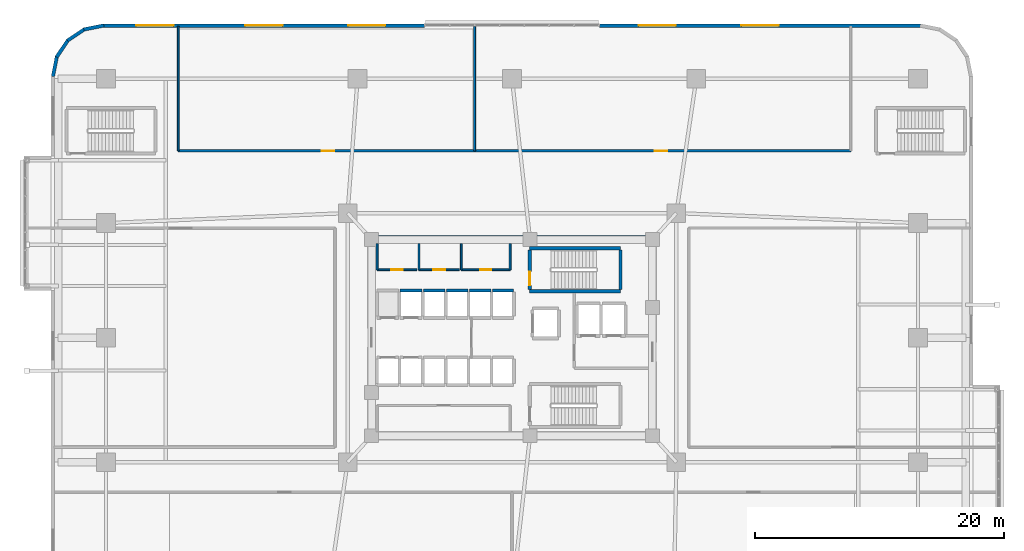
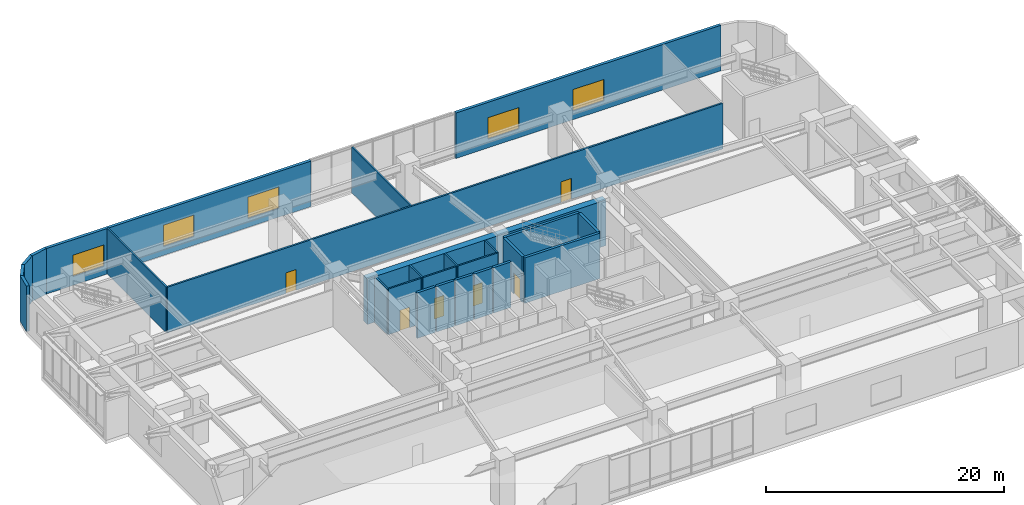
# One storey, part 17 of 23: 26 walls, 6 doors, 5 windows, 11 openings.
"""IFC4 building model written with IfcOpenShell, lengths in metres."""

import ifcopenshell
import ifcopenshell.guid

model = None  # the IFC model being written
_history = None  # IfcOwnerHistory: only IFC2X3 demands one
_inside = {}  # id of a spatial element -> (the spatial element, [elements in it])
_under = {}  # id of a project, library or spatial element -> (it, [spatial elements below it])
_declared = {}  # id of a project -> (the project, [libraries it declares])
_typed = {}  # id of a type object -> (the type object, [elements of that type])
_made_of = {}  # id of a material, layer set ... -> (it, [elements and type objects made of it])


def new_model(schema):
    """Start an empty IFC model of exactly this schema.

    Asked for "IFC4X3", IfcOpenShell would pick the latest addendum, in which some entities
    have other attributes; the version numbers below select the first issue.
    IFC2X3 requires an IfcOwnerHistory on every rooted entity: one is made here for all.
    """
    global model, _history
    if schema == "IFC4X3":
        model = ifcopenshell.file(schema_version=(4, 3, 0, 0))
    else:
        model = ifcopenshell.file(schema=schema)
    _inside.clear()
    _under.clear()
    _declared.clear()
    _typed.clear()
    _made_of.clear()
    _history = None
    if model.schema == "IFC2X3":
        org = make("IfcOrganization", Name="unknown")
        user = make(
            "IfcPersonAndOrganization",
            ThePerson=make("IfcPerson", FamilyName="unknown"),
            TheOrganization=org,
        )
        app = make(
            "IfcApplication",
            ApplicationDeveloper=org,
            Version="unknown",
            ApplicationFullName="unknown",
            ApplicationIdentifier="unknown",
        )
        _history = make(
            "IfcOwnerHistory",
            OwningUser=user,
            OwningApplication=app,
            ChangeAction="ADDED",
            CreationDate=0,
        )
    return model


def make(cls, **values):
    """One entity of the class cls with the attributes given. An attribute that is None is left unset."""
    return model.create_entity(
        cls, **{name: value for name, value in values.items() if value is not None}
    )


def rooted(cls, **values):
    """An entity with a GlobalId (a new one), such as an element, a storey or a relation."""
    return make(cls, GlobalId=ifcopenshell.guid.new(), OwnerHistory=_history, **values)


def si_unit(unit_type, name, prefix=None):
    """IfcSIUnit, for example si_unit("LENGTHUNIT", "METRE", prefix="MILLI")."""
    return make("IfcSIUnit", UnitType=unit_type, Prefix=prefix, Name=name)


def assignment(units):
    """IfcUnitAssignment: the units of a project."""
    return None if units is None else make("IfcUnitAssignment", Units=units)


def point(xyz):
    """IfcCartesianPoint."""
    return None if xyz is None else make("IfcCartesianPoint", Coordinates=xyz)


def direction(xyz):
    """IfcDirection."""
    return None if xyz is None else make("IfcDirection", DirectionRatios=xyz)


def frame(location, z_axis=None, x_axis=None):
    """IfcAxis2Placement3D, a coordinate frame: its origin and axes. An axis left out is left unset."""
    return make(
        "IfcAxis2Placement3D",
        Location=point(location),
        Axis=direction(z_axis),
        RefDirection=direction(x_axis),
    )


def frame_2d(location, x_axis=None):
    """IfcAxis2Placement2D, a coordinate frame in the plane: its origin and x axis."""
    return make(
        "IfcAxis2Placement2D", Location=point(location), RefDirection=direction(x_axis)
    )


def origin():
    """The frame at (0, 0, 0) with its axes left unset."""
    return frame((0.0, 0.0, 0.0))


def place(relative_to, where):
    """IfcLocalPlacement: puts the frame where relative to a parent placement (None: the world)."""
    return make(
        "IfcLocalPlacement", PlacementRelTo=relative_to, RelativePlacement=where
    )


def context(
    kind, dimensions, precision=None, world=None, true_north=None, identifier=None
):
    """IfcGeometricRepresentationContext, for example the 3D "Model" context."""
    return make(
        "IfcGeometricRepresentationContext",
        ContextIdentifier=identifier,
        ContextType=kind,
        CoordinateSpaceDimension=dimensions,
        Precision=precision,
        WorldCoordinateSystem=world,
        TrueNorth=true_north,
    )


def subcontext(parent, identifier, kind, view, scale=None):
    """IfcGeometricRepresentationSubContext, for example "Body" below "Model"."""
    return make(
        "IfcGeometricRepresentationSubContext",
        ContextIdentifier=identifier,
        ContextType=kind,
        ParentContext=parent,
        TargetScale=scale,
        TargetView=view,
    )


def project(units=None, contexts=None):
    """IfcProject with its units and contexts."""
    return rooted(
        "IfcProject",
        Name="project",
        RepresentationContexts=contexts,
        UnitsInContext=assignment(units),
    )


def spatial(cls, under=None, at=None, **own):
    """A site, building, storey or space (cls), placed at a placement, below another one or the project."""
    s = rooted(cls, ObjectPlacement=at, **own)
    if under is not None:
        _under.setdefault(under.id(), (under, []))[1].append(s)
    return s


def profile(cls, at=None, kind="AREA", **sizes):
    """A parametric profile (cls). Its sizes go by their IFC names, for example OverallWidth=200.0."""
    return make(cls, ProfileType=kind, Position=at, **sizes)


def rectangle(**sizes):
    """IfcRectangleProfileDef."""
    return profile("IfcRectangleProfileDef", **sizes)


def extrude(swept, where, along, depth):
    """IfcExtrudedAreaSolid: the profile swept, set in the frame where, extruded along a direction by depth."""
    return make(
        "IfcExtrudedAreaSolid",
        SweptArea=swept,
        Position=where,
        ExtrudedDirection=direction(along),
        Depth=depth,
    )


def shape(context_of_items, identifier, shape_type, items):
    """IfcShapeRepresentation: the items that make up one representation, for example the "Body"."""
    return make(
        "IfcShapeRepresentation",
        ContextOfItems=context_of_items,
        RepresentationIdentifier=identifier,
        RepresentationType=shape_type,
        Items=items,
    )


def material(Name=None, Category=None):
    """IfcMaterial."""
    return make("IfcMaterial", Name=Name, Category=Category)


def layer(
    of_material, thickness, ventilated=None, Name=None, Category=None, Priority=None
):
    """IfcMaterialLayer: one layer of a wall or slab, of a material (None: an air gap)."""
    return make(
        "IfcMaterialLayer",
        Material=of_material,
        LayerThickness=thickness,
        IsVentilated=ventilated,
        Name=Name,
        Category=Category,
        Priority=Priority,
    )


def layer_set(layers, Name=None):
    """IfcMaterialLayerSet."""
    return make("IfcMaterialLayerSet", MaterialLayers=layers, LayerSetName=Name)


def made_of(thing, what):
    """Note that an element or type object is made of a material, layer set ...; save() writes the relation."""
    if what is not None:
        _made_of.setdefault(what.id(), (what, []))[1].append(thing)
    return thing


def type_object(cls, material=None, **own):
    """A type object (cls), such as IfcWallType, which elements share."""
    return made_of(rooted(cls, **own), material)


def element(
    cls,
    number,
    at=None,
    inside=None,
    cuts=None,
    type_object=None,
    material=None,
    context=None,
    identifier="Body",
    shape_type=None,
    held_by="IfcProductDefinitionShape",
    body=None,
    shapes=None,
    **own,
):
    """One element of the class cls, such as IfcWall. Its Tag is "e" and its number.

    at: its placement. inside: the storey or other place that contains it. cuts: it is an
    opening in that element (IfcRelVoidsElement). A single representation is given by context,
    identifier, shape_type and body (its items); several are given by shapes. held_by: the class
    of the entity that holds the representations. save() writes the other relations.
    """
    e = rooted(cls, Tag="e%d" % number, ObjectPlacement=at, **own)
    if body is not None:
        shapes = [shape(context, identifier, shape_type, body)]
    if shapes is not None:
        e.Representation = make(held_by, Representations=shapes)
    if inside is not None:
        _inside.setdefault(inside.id(), (inside, []))[1].append(e)
    if cuts is not None:
        rooted(
            "IfcRelVoidsElement", RelatingBuildingElement=cuts, RelatedOpeningElement=e
        )
    if type_object is not None:
        _typed.setdefault(type_object.id(), (type_object, []))[1].append(e)
    return made_of(e, material)


def fill(opening, filler):
    """IfcRelFillsElement: the door or window that sits in an opening."""
    return rooted(
        "IfcRelFillsElement",
        RelatingOpeningElement=opening,
        RelatedBuildingElement=filler,
    )


def aggregate(whole, parts):
    """IfcRelAggregates: a whole, such as a stair, and the parts it consists of."""
    return rooted("IfcRelAggregates", RelatingObject=whole, RelatedObjects=parts)


def save(model, path):
    """Write the relations noted so far, then the file.

    IfcRelAggregates (storeys below a building ...), IfcRelContainedInSpatialStructure (elements
    in a storey), IfcRelDefinesByType, IfcRelAssociatesMaterial and IfcRelDeclares: one each for
    every whole, place, type object, material and project.
    """
    for whole, parts in _under.values():
        aggregate(whole, parts)
    for where, things in _inside.values():
        rooted(
            "IfcRelContainedInSpatialStructure",
            RelatedElements=things,
            RelatingStructure=where,
        )
    for kind, things in _typed.values():
        rooted("IfcRelDefinesByType", RelatedObjects=things, RelatingType=kind)
    for what, things in _made_of.values():
        rooted("IfcRelAssociatesMaterial", RelatedObjects=things, RelatingMaterial=what)
    for by, libraries in _declared.values():
        rooted("IfcRelDeclares", RelatingContext=by, RelatedDefinitions=libraries)
    model.write(path)


model = new_model("IFC4")

# Units and contexts
model_context = context("Model", 3, precision=1e-05, world=origin(), true_north=direction((0.0, 1.0)))
body_context = subcontext(model_context, "Body", "Model", "MODEL_VIEW")
ifc_project = project(units=[si_unit("LENGTHUNIT", "METRE"), si_unit("AREAUNIT", "SQUARE_METRE"), si_unit("VOLUMEUNIT", "CUBIC_METRE"), si_unit("PLANEANGLEUNIT", "RADIAN"), si_unit("MASSUNIT", "GRAM", prefix="KILO")], contexts=[model_context])

# Site, building, storey
site_placement = place(None, origin())
site = spatial("IfcSite", under=ifc_project, at=site_placement, CompositionType="ELEMENT")
building_placement = place(site_placement, origin())
building = spatial("IfcBuilding", under=site, at=building_placement, Name="Zulverin Broadcast Headquarters", CompositionType="ELEMENT")
storey_placement = place(building_placement, frame((0.0, 0.0, 10.0)))
storey = spatial("IfcBuildingStorey", under=building, at=storey_placement, Name="L02", CompositionType="ELEMENT", Elevation=10.0)

# Wall
ifc_material_1 = material(Name="Concrete C60/75", Category="concrete")
ifc_layer_1 = layer(ifc_material_1, 0.64990234375, Name="Concrete C60/75", Category="concrete")
ifc_layer_set_1 = layer_set([ifc_layer_1], Name="Concrete C60/75")
wall_type_1 = type_object("IfcWallType", Name="WL-CORE-650", PredefinedType="SHEAR", material=ifc_layer_set_1)
wall_1_placement = place(storey_placement, frame((25.39990234375, 33.074951171875, 0.0), z_axis=(0.0, 0.0, 1.0), x_axis=(1.0, 0.0, 0.0)))
element("IfcWall", 1, at=wall_1_placement, inside=storey, type_object=wall_type_1, Name="L02 Core North Shear Wall", PredefinedType="SHEAR", context=body_context, shape_type="SweptSolid", body=[
    extrude(rectangle(XDim=23.2001953125, YDim=0.64990234375, at=frame_2d((11.60009765625, 0.0))), origin(), (0.0, 0.0, 1.0), 4.679931640625),
])

# Wall, openings, windows
ifc_material_2 = material(Name="Insulated pale-metal clad concrete spandrel C40/50", Category="concrete")
ifc_layer_2 = layer(ifc_material_2, 0.280029296875, Name="Insulated pale-metal clad concrete spandrel C40/50", Category="concrete")
ifc_layer_set_2 = layer_set([ifc_layer_2], Name="Insulated pale-metal clad concrete spandrel C40/50")
wall_type_2 = type_object("IfcWallType", Name="WL-EXT-280", PredefinedType="STANDARD", material=ifc_layer_set_2)
wall_2_placement = place(storey_placement, frame((69.800048828125, 50.260009765625, 0.0), z_axis=(0.0, 0.0, 1.0), x_axis=(-1.0, 0.0, 0.0)))
wall_2 = element("IfcWall", 2, at=wall_2_placement, inside=storey, type_object=wall_type_2, Name="L02 Podium Flank Wall 2-1", PredefinedType="STANDARD", context=body_context, shape_type="SweptSolid", body=[
    extrude(rectangle(XDim=25.761962890625, YDim=0.280029296875, at=frame_2d((12.880859375, 0.0))), origin(), (0.0, 0.0, 1.0), 4.679931640625),
])
opening_1_placement = place(wall_2_placement, frame((11.381103515625, 0.0, 0.89990234375)))
opening_1 = element("IfcOpeningElement", 3, at=opening_1_placement, cuts=wall_2, Name="Opening W-L02-F211", PredefinedType="OPENING", context=body_context, shape_type="SweptSolid", body=[
    extrude(rectangle(XDim=3.0, YDim=2.199951171875, at=frame_2d((1.5, 1.10009765625))), frame((0.0, 0.14990234375, 0.0), z_axis=(0.0, -1.0, 0.0), x_axis=(1.0, 0.0, 0.0)), (0.0, 0.0, 1.0), 0.300048828125),
])
opening_2_placement = place(wall_2_placement, frame((19.635009765625, 0.0, 0.89990234375)))
opening_2 = element("IfcOpeningElement", 4, at=opening_2_placement, cuts=wall_2, Name="Opening W-L02-F212", PredefinedType="OPENING", context=body_context, shape_type="SweptSolid", body=[
    extrude(rectangle(XDim=3.0, YDim=2.199951171875, at=frame_2d((1.5, 1.10009765625))), frame((0.0, 0.14990234375, 0.0), z_axis=(0.0, -1.0, 0.0), x_axis=(1.0, 0.0, 0.0)), (0.0, 0.0, 1.0), 0.300048828125),
])
ifc_material_3 = material(Name="Pale anodized aluminium frame with solar-control low-E double glazing", Category="aluminium")
window_type = type_object("IfcWindowType", Name="WIN-POD-3000", PartitioningType="SINGLE_PANEL", PredefinedType="WINDOW", material=ifc_material_3)
window_1_placement = place(opening_1_placement, origin())
window_1 = element("IfcWindow", 5, at=window_1_placement, inside=storey, type_object=window_type, Name="L02 Podium Flank Window 2-1 1", OverallHeight=2.199951171875, OverallWidth=3.0, PartitioningType="SINGLE_PANEL", PredefinedType="WINDOW", context=body_context, shape_type="SweptSolid", body=[
    extrude(rectangle(XDim=3.0, YDim=2.199951171875, at=frame_2d((1.5, 1.10009765625))), frame((0.0, 0.030029296875, 0.0), z_axis=(0.0, -1.0, 0.0), x_axis=(1.0, 0.0, 0.0)), (0.0, 0.0, 1.0), 0.06005859375),
])
fill(opening_1, window_1)
window_2_placement = place(opening_2_placement, origin())
window_2 = element("IfcWindow", 6, at=window_2_placement, inside=storey, type_object=window_type, Name="L02 Podium Flank Window 2-1 2", OverallHeight=2.199951171875, OverallWidth=3.0, PartitioningType="SINGLE_PANEL", PredefinedType="WINDOW", context=body_context, shape_type="SweptSolid", body=[
    extrude(rectangle(XDim=3.0, YDim=2.199951171875, at=frame_2d((1.5, 1.10009765625))), frame((0.0, 0.030029296875, 0.0), z_axis=(0.0, -1.0, 0.0), x_axis=(1.0, 0.0, 0.0)), (0.0, 0.0, 1.0), 0.06005859375),
])
fill(opening_2, window_2)

wall_3_placement = place(storey_placement, frame((29.9619140625, 50.260009765625, 0.0), z_axis=(0.0, 0.0, 1.0), x_axis=(-1.0, 0.0, 0.0)))
wall_3 = element("IfcWall", 7, at=wall_3_placement, inside=storey, type_object=wall_type_2, Name="L02 Podium Flank Wall 2-2", PredefinedType="STANDARD", context=body_context, shape_type="SweptSolid", body=[
    extrude(rectangle(XDim=25.761962890625, YDim=0.280029296875, at=frame_2d((12.880859375, 0.0))), origin(), (0.0, 0.0, 1.0), 4.679931640625),
])
opening_3_placement = place(wall_3_placement, frame((3.126953125, 0.0, 0.89990234375)))
opening_3 = element("IfcOpeningElement", 8, at=opening_3_placement, cuts=wall_3, Name="Opening W-L02-F221", PredefinedType="OPENING", context=body_context, shape_type="SweptSolid", body=[
    extrude(rectangle(XDim=3.0, YDim=2.199951171875, at=frame_2d((1.5, 1.10009765625))), frame((0.0, 0.14990234375, 0.0), z_axis=(0.0, -1.0, 0.0), x_axis=(1.0, 0.0, 0.0)), (0.0, 0.0, 1.0), 0.300048828125),
])
opening_4_placement = place(wall_3_placement, frame((11.381103515625, 0.0, 0.89990234375)))
opening_4 = element("IfcOpeningElement", 9, at=opening_4_placement, cuts=wall_3, Name="Opening W-L02-F222", PredefinedType="OPENING", context=body_context, shape_type="SweptSolid", body=[
    extrude(rectangle(XDim=3.0, YDim=2.199951171875, at=frame_2d((1.5, 1.10009765625))), frame((0.0, 0.14990234375, 0.0), z_axis=(0.0, -1.0, 0.0), x_axis=(1.0, 0.0, 0.0)), (0.0, 0.0, 1.0), 0.300048828125),
])
opening_5_placement = place(wall_3_placement, frame((20.135009765625, 0.0, 0.89990234375)))
opening_5 = element("IfcOpeningElement", 10, at=opening_5_placement, cuts=wall_3, Name="Opening W-L02-F223", PredefinedType="OPENING", context=body_context, shape_type="SweptSolid", body=[
    extrude(rectangle(XDim=3.0, YDim=2.199951171875, at=frame_2d((1.5, 1.10009765625))), frame((0.0, 0.14990234375, 0.0), z_axis=(0.0, -1.0, 0.0), x_axis=(1.0, 0.0, 0.0)), (0.0, 0.0, 1.0), 0.300048828125),
])
window_3_placement = place(opening_3_placement, origin())
window_3 = element("IfcWindow", 11, at=window_3_placement, inside=storey, type_object=window_type, Name="L02 Podium Flank Window 2-2 1", OverallHeight=2.199951171875, OverallWidth=3.0, PartitioningType="SINGLE_PANEL", PredefinedType="WINDOW", context=body_context, shape_type="SweptSolid", body=[
    extrude(rectangle(XDim=3.0, YDim=2.199951171875, at=frame_2d((1.5, 1.10009765625))), frame((0.0, 0.030029296875, 0.0), z_axis=(0.0, -1.0, 0.0), x_axis=(1.0, 0.0, 0.0)), (0.0, 0.0, 1.0), 0.06005859375),
])
fill(opening_3, window_3)
window_4_placement = place(opening_4_placement, origin())
window_4 = element("IfcWindow", 12, at=window_4_placement, inside=storey, type_object=window_type, Name="L02 Podium Flank Window 2-2 2", OverallHeight=2.199951171875, OverallWidth=3.0, PartitioningType="SINGLE_PANEL", PredefinedType="WINDOW", context=body_context, shape_type="SweptSolid", body=[
    extrude(rectangle(XDim=3.0, YDim=2.199951171875, at=frame_2d((1.5, 1.10009765625))), frame((0.0, 0.030029296875, 0.0), z_axis=(0.0, -1.0, 0.0), x_axis=(1.0, 0.0, 0.0)), (0.0, 0.0, 1.0), 0.06005859375),
])
fill(opening_4, window_4)
window_5_placement = place(opening_5_placement, origin())
window_5 = element("IfcWindow", 13, at=window_5_placement, inside=storey, type_object=window_type, Name="L02 Podium Flank Window 2-2 3", OverallHeight=2.199951171875, OverallWidth=3.0, PartitioningType="SINGLE_PANEL", PredefinedType="WINDOW", context=body_context, shape_type="SweptSolid", body=[
    extrude(rectangle(XDim=3.0, YDim=2.199951171875, at=frame_2d((1.5, 1.10009765625))), frame((0.0, 0.030029296875, 0.0), z_axis=(0.0, -1.0, 0.0), x_axis=(1.0, 0.0, 0.0)), (0.0, 0.0, 1.0), 0.06005859375),
])
fill(opening_5, window_5)

# Walls
wall_4_placement = place(storey_placement, frame((4.227294921875, 50.2626953125, 0.0), z_axis=(0.0, 0.0, 1.0), x_axis=(-0.980797825116, -0.195027244885, 0.0)))
element("IfcWall", 14, at=wall_4_placement, inside=storey, type_object=wall_type_2, Name="L02 Wind-Shaped Corner Spandrel Wall 2-1", PredefinedType="STANDARD", context=body_context, shape_type="SweptSolid", body=[
    extrude(rectangle(XDim=1.638671875, YDim=0.280029296875, at=frame_2d((0.8193359375, 0.0))), origin(), (0.0, 0.0, 1.0), 4.679931640625),
])
wall_5_placement = place(storey_placement, frame((2.67041015625, 49.9638671875, 0.0), z_axis=(0.0, 0.0, 1.0), x_axis=(-0.831430845238, -0.555628247651, 0.0)))
element("IfcWall", 15, at=wall_5_placement, inside=storey, type_object=wall_type_2, Name="L02 Wind-Shaped Corner Spandrel Wall 2-2", PredefinedType="STANDARD", context=body_context, shape_type="SweptSolid", body=[
    extrude(rectangle(XDim=1.638427734375, YDim=0.280029296875, at=frame_2d((0.8193359375, 0.0))), origin(), (0.0, 0.0, 1.0), 4.679931640625),
])
for number, where, z_axis, x_axis, name in (
    (16, (1.3466796875, 49.092041015625, 0.0), (0.0, 0.0, 1.0), (-0.555662407875, -0.831408015643, 0.0), "L02 Wind-Shaped Corner Spandrel Wall 2-3"),
    (17, (0.45703125, 47.780029296875, 0.0), (0.0, 0.0, 1.0), (-0.195142046967, -0.980774990253, 0.0), "L02 Wind-Shaped Corner Spandrel Wall 2-4"),
):
    element("IfcWall", number, at=place(storey_placement, frame(where, z_axis=z_axis, x_axis=x_axis)), inside=storey, type_object=wall_type_2, Name=name, PredefinedType="STANDARD", context=body_context, shape_type="SweptSolid", body=[
        extrude(rectangle(XDim=1.638916015625, YDim=0.280029296875, at=frame_2d((0.8193359375, 0.0))), origin(), (0.0, 0.0, 1.0), 4.679931640625),
    ])

# Wall, opening, door
ifc_material_4 = material(Name="Fire-rated gypsum stud partition", Category="gypsum")
ifc_layer_3 = layer(ifc_material_4, 0.14990234375, Name="Fire-rated gypsum stud partition", Category="gypsum")
ifc_layer_set_3 = layer_set([ifc_layer_3], Name="Fire-rated gypsum stud partition")
wall_type_3 = type_object("IfcWallType", Name="WL-PART-150", PredefinedType="PARTITIONING", material=ifc_layer_set_3)
wall_6_placement = place(storey_placement, frame((26.169921875, 30.64990234375, 0.0), z_axis=(0.0, 0.0, 1.0), x_axis=(1.0, 0.0, 0.0)))
wall_6 = element("IfcWall", 18, at=wall_6_placement, inside=storey, type_object=wall_type_3, Name="L02 Core Accessible WC Front Wall", PredefinedType="PARTITIONING", context=body_context, shape_type="SweptSolid", body=[
    extrude(rectangle(XDim=3.2001953125, YDim=0.14990234375, at=frame_2d((1.60009765625, 0.0))), origin(), (0.0, 0.0, 1.0), 4.679931640625),
])
opening_6_placement = place(wall_6_placement, frame((1.125, 0.0, 0.0)))
opening_6 = element("IfcOpeningElement", 19, at=opening_6_placement, cuts=wall_6, Name="Opening D-L02-NC1", PredefinedType="OPENING", context=body_context, shape_type="SweptSolid", body=[
    extrude(rectangle(XDim=0.949951171875, YDim=2.10009765625, at=frame_2d((0.47509765625, 1.050048828125))), frame((0.0, 0.0849609375, 0.0), z_axis=(0.0, -1.0, 0.0), x_axis=(1.0, 0.0, 0.0)), (0.0, 0.0, 1.0), 0.169921875),
])
ifc_material_5 = material(Name="Fire-rated moisture-resistant laminate leaf", Category="wood")
door_type_1 = type_object("IfcDoorType", Name="DR-WC-950", OperationType="SINGLE_SWING_LEFT", PredefinedType="DOOR", material=ifc_material_5)
door_1_placement = place(opening_6_placement, origin())
door_1 = element("IfcDoor", 20, at=door_1_placement, inside=storey, type_object=door_type_1, Name="L02 Accessible WC Door", OperationType="SINGLE_SWING_LEFT", OverallHeight=2.10009765625, OverallWidth=0.949951171875, PredefinedType="DOOR", context=body_context, shape_type="SweptSolid", body=[
    extrude(rectangle(XDim=0.949951171875, YDim=2.10009765625, at=frame_2d((0.47509765625, 1.050048828125))), frame((0.0, 0.02490234375, 0.0), z_axis=(0.0, -1.0, 0.0), x_axis=(1.0, 0.0, 0.0)), (0.0, 0.0, 1.0), 0.050048828125),
])
fill(opening_6, door_1)

# Wall
wall_7_placement = place(storey_placement, frame((26.169921875, 30.64990234375, 0.0), z_axis=(0.0, 0.0, 1.0), x_axis=(0.0, 1.0, 0.0)))
element("IfcWall", 21, at=wall_7_placement, inside=storey, type_object=wall_type_3, Name="L02 Core Accessible WC West Wall", PredefinedType="PARTITIONING", context=body_context, shape_type="SweptSolid", body=[
    extrude(rectangle(XDim=2.10009765625, YDim=0.14990234375, at=frame_2d((1.050048828125, 0.0))), origin(), (0.0, 0.0, 1.0), 4.679931640625),
])

# Wall, opening, door
wall_8_placement = place(storey_placement, frame((29.530029296875, 30.64990234375, 0.0), z_axis=(0.0, 0.0, 1.0), x_axis=(1.0, 0.0, 0.0)))
wall_8 = element("IfcWall", 22, at=wall_8_placement, inside=storey, type_object=wall_type_3, Name="L02 Core Male WC Front Wall", PredefinedType="PARTITIONING", context=body_context, shape_type="SweptSolid", body=[
    extrude(rectangle(XDim=3.239990234375, YDim=0.14990234375, at=frame_2d((1.6201171875, 0.0))), origin(), (0.0, 0.0, 1.0), 4.679931640625),
])
opening_7_placement = place(wall_8_placement, frame((1.14501953125, 0.0, 0.0)))
opening_7 = element("IfcOpeningElement", 23, at=opening_7_placement, cuts=wall_8, Name="Opening D-L02-NC2", PredefinedType="OPENING", context=body_context, shape_type="SweptSolid", body=[
    extrude(rectangle(XDim=0.949951171875, YDim=2.10009765625, at=frame_2d((0.47509765625, 1.050048828125))), frame((0.0, 0.0849609375, 0.0), z_axis=(0.0, -1.0, 0.0), x_axis=(1.0, 0.0, 0.0)), (0.0, 0.0, 1.0), 0.169921875),
])
door_2_placement = place(opening_7_placement, origin())
door_2 = element("IfcDoor", 24, at=door_2_placement, inside=storey, type_object=door_type_1, Name="L02 Male WC Door", OperationType="SINGLE_SWING_RIGHT", OverallHeight=2.10009765625, OverallWidth=0.949951171875, PredefinedType="DOOR", context=body_context, shape_type="SweptSolid", body=[
    extrude(rectangle(XDim=0.949951171875, YDim=2.10009765625, at=frame_2d((0.47509765625, 1.050048828125))), frame((0.0, 0.02490234375, 0.0), z_axis=(0.0, -1.0, 0.0), x_axis=(1.0, 0.0, 0.0)), (0.0, 0.0, 1.0), 0.050048828125),
])
fill(opening_7, door_2)

# Wall
wall_9_placement = place(storey_placement, frame((29.530029296875, 30.64990234375, 0.0), z_axis=(0.0, 0.0, 1.0), x_axis=(0.0, 1.0, 0.0)))
element("IfcWall", 25, at=wall_9_placement, inside=storey, type_object=wall_type_3, Name="L02 Core Male WC West Wall", PredefinedType="PARTITIONING", context=body_context, shape_type="SweptSolid", body=[
    extrude(rectangle(XDim=2.10009765625, YDim=0.14990234375, at=frame_2d((1.050048828125, 0.0))), origin(), (0.0, 0.0, 1.0), 4.679931640625),
])

# Wall, opening, door
wall_10_placement = place(storey_placement, frame((32.929931640625, 30.64990234375, 0.0), z_axis=(0.0, 0.0, 1.0), x_axis=(1.0, 0.0, 0.0)))
wall_10 = element("IfcWall", 26, at=wall_10_placement, inside=storey, type_object=wall_type_3, Name="L02 Core Electrical Switch Riser Front Wall", PredefinedType="PARTITIONING", context=body_context, shape_type="SweptSolid", body=[
    extrude(rectangle(XDim=3.920166015625, YDim=0.14990234375, at=frame_2d((1.9599609375, 0.0))), origin(), (0.0, 0.0, 1.0), 4.679931640625),
])
opening_8_placement = place(wall_10_placement, frame((1.510009765625, 0.0, 0.0)))
opening_8 = element("IfcOpeningElement", 27, at=opening_8_placement, cuts=wall_10, Name="Opening D-L02-NC3", PredefinedType="OPENING", context=body_context, shape_type="SweptSolid", body=[
    extrude(rectangle(XDim=0.89990234375, YDim=2.10009765625, at=frame_2d((0.449951171875, 1.050048828125))), frame((0.0, 0.0849609375, 0.0), z_axis=(0.0, -1.0, 0.0), x_axis=(1.0, 0.0, 0.0)), (0.0, 0.0, 1.0), 0.169921875),
])
ifc_material_6 = material(Name="Powder-coated steel access leaf", Category="steel")
door_type_2 = type_object("IfcDoorType", Name="DR-RISER-900", OperationType="SINGLE_SWING_LEFT", PredefinedType="DOOR", material=ifc_material_6)
door_3_placement = place(opening_8_placement, origin())
door_3 = element("IfcDoor", 28, at=door_3_placement, inside=storey, type_object=door_type_2, Name="L02 Electrical Switch Riser Door", OperationType="SINGLE_SWING_LEFT", OverallHeight=2.10009765625, OverallWidth=0.89990234375, PredefinedType="DOOR", context=body_context, shape_type="SweptSolid", body=[
    extrude(rectangle(XDim=0.89990234375, YDim=2.10009765625, at=frame_2d((0.449951171875, 1.050048828125))), frame((0.0, 0.02490234375, 0.0), z_axis=(0.0, -1.0, 0.0), x_axis=(1.0, 0.0, 0.0)), (0.0, 0.0, 1.0), 0.050048828125),
])
fill(opening_8, door_3)

# Walls
for number, where, z_axis, x_axis, name in (
    (29, (32.929931640625, 30.64990234375, 0.0), (0.0, 0.0, 1.0), (0.0, 1.0, 0.0), "L02 Core Electrical Switch Riser West Wall"),
    (30, (36.85009765625, 30.64990234375, 0.0), (0.0, 0.0, 1.0), (0.0, 1.0, 0.0), "L02 Core Electrical Switch Riser East Wall"),
):
    element("IfcWall", number, at=place(storey_placement, frame(where, z_axis=z_axis, x_axis=x_axis)), inside=storey, type_object=wall_type_3, Name=name, PredefinedType="PARTITIONING", context=body_context, shape_type="SweptSolid", body=[
        extrude(rectangle(XDim=2.10009765625, YDim=0.14990234375, at=frame_2d((1.050048828125, 0.0))), origin(), (0.0, 0.0, 1.0), 4.679931640625),
    ])
for number, where, z_axis, x_axis, name in (
    (31, (34.0, 40.199951171875, 0.0), (0.0, 0.0, 1.0), (0.0, 1.0, 0.0), "L02 Room Partition Wall RP-04"),
    (32, (10.199951171875, 40.199951171875, 0.0), (0.0, 0.0, 1.0), (0.0, 1.0, 0.0), "L02 Gallery Partition Wall CG-06"),
):
    element("IfcWall", number, at=place(storey_placement, frame(where, z_axis=z_axis, x_axis=x_axis)), inside=storey, type_object=wall_type_3, Name=name, PredefinedType="PARTITIONING", context=body_context, shape_type="SweptSolid", body=[
        extrude(rectangle(XDim=9.9951171875, YDim=0.14990234375, at=frame_2d((4.99755859375, 0.0))), origin(), (0.0, 0.0, 1.0), 4.679931640625),
    ])

# Wall, openings, doors
ifc_material_7 = material(Name="Fire-rated acoustic stud wall", Category="gypsum")
ifc_layer_4 = layer(ifc_material_7, 0.175048828125, Name="Fire-rated acoustic stud wall", Category="gypsum")
ifc_layer_set_4 = layer_set([ifc_layer_4], Name="Fire-rated acoustic stud wall")
wall_type_4 = type_object("IfcWallType", Name="WL-PART-175", PredefinedType="PARTITIONING", material=ifc_layer_set_4)
wall_11_placement = place(storey_placement, frame((10.199951171875, 40.199951171875, 0.0), z_axis=(0.0, 0.0, 1.0), x_axis=(1.0, 0.0, 0.0)))
wall_11 = element("IfcWall", 33, at=wall_11_placement, inside=storey, type_object=wall_type_4, Name="L02 Gallery Partition Wall CG-12", PredefinedType="PARTITIONING", context=body_context, shape_type="SweptSolid", body=[
    extrude(rectangle(XDim=54.0, YDim=0.175048828125, at=frame_2d((27.0, 0.0))), origin(), (0.0, 0.0, 1.0), 4.679931640625),
])
opening_9_placement = place(wall_11_placement, frame((11.52001953125, 0.0, 0.0)))
opening_9 = element("IfcOpeningElement", 34, at=opening_9_placement, cuts=wall_11, Name="Opening D-L02-NORTH1", PredefinedType="OPENING", context=body_context, shape_type="SweptSolid", body=[
    extrude(rectangle(XDim=1.0, YDim=2.1201171875, at=frame_2d((0.5, 1.06005859375))), frame((0.0, 0.097412109375, 0.0), z_axis=(0.0, -1.0, 0.0), x_axis=(1.0, 0.0, 0.0)), (0.0, 0.0, 1.0), 0.195068359375),
])
opening_10_placement = place(wall_11_placement, frame((38.280029296875, 0.0, 0.0)))
opening_10 = element("IfcOpeningElement", 35, at=opening_10_placement, cuts=wall_11, Name="Opening D-L02-NORTH2", PredefinedType="OPENING", context=body_context, shape_type="SweptSolid", body=[
    extrude(rectangle(XDim=1.0, YDim=2.1201171875, at=frame_2d((0.5, 1.06005859375))), frame((0.0, 0.097412109375, 0.0), z_axis=(0.0, -1.0, 0.0), x_axis=(1.0, 0.0, 0.0)), (0.0, 0.0, 1.0), 0.195068359375),
])
ifc_material_8 = material(Name="Hardwood veneer acoustic leaf", Category="wood")
door_type_3 = type_object("IfcDoorType", Name="DR-OFF-1000", OperationType="SINGLE_SWING_LEFT", PredefinedType="DOOR", material=ifc_material_8)
door_4_placement = place(opening_9_placement, origin())
door_4 = element("IfcDoor", 36, at=door_4_placement, inside=storey, type_object=door_type_3, Name="L02 Newsroom Editorial Open Workplace Door", OperationType="SINGLE_SWING_RIGHT", OverallHeight=2.1201171875, OverallWidth=1.0, PredefinedType="DOOR", context=body_context, shape_type="SweptSolid", body=[
    extrude(rectangle(XDim=1.0, YDim=2.1201171875, at=frame_2d((0.5, 1.06005859375))), frame((0.0, 0.02490234375, 0.0), z_axis=(0.0, -1.0, 0.0), x_axis=(1.0, 0.0, 0.0)), (0.0, 0.0, 1.0), 0.050048828125),
])
fill(opening_9, door_4)
door_5_placement = place(opening_10_placement, origin())
door_5 = element("IfcDoor", 37, at=door_5_placement, inside=storey, type_object=door_type_3, Name="L02 Broadcast Graphics & Media Lab Door", OperationType="SINGLE_SWING_LEFT", OverallHeight=2.1201171875, OverallWidth=1.0, PredefinedType="DOOR", context=body_context, shape_type="SweptSolid", body=[
    extrude(rectangle(XDim=1.0, YDim=2.1201171875, at=frame_2d((0.5, 1.06005859375))), frame((0.0, 0.02490234375, 0.0), z_axis=(0.0, -1.0, 0.0), x_axis=(1.0, 0.0, 0.0)), (0.0, 0.0, 1.0), 0.050048828125),
])
fill(opening_10, door_5)

# Walls
ifc_material_9 = material(Name="Concrete C50/60", Category="concrete")
ifc_layer_5 = layer(ifc_material_9, 0.25, Name="Concrete C50/60", Category="concrete")
ifc_layer_set_5 = layer_set([ifc_layer_5], Name="Concrete C50/60")
wall_type_5 = type_object("IfcWallType", Name="WL-SHAFT-250", PredefinedType="SHEAR", material=ifc_layer_set_5)
for number, where, z_axis, x_axis, name in (
    (38, (38.425048828125, 28.925048828125, 0.0), (0.0, 0.0, 1.0), (1.0, 0.0, 0.0), "L02 ST-1 Enclosure Wall S"),
    (39, (38.425048828125, 32.375, 0.0), (0.0, 0.0, 1.0), (1.0, 0.0, 0.0), "L02 ST-1 Enclosure Wall N"),
):
    element("IfcWall", number, at=place(storey_placement, frame(where, z_axis=z_axis, x_axis=x_axis)), inside=storey, type_object=wall_type_5, Name=name, PredefinedType="SHEAR", context=body_context, shape_type="SweptSolid", body=[
        extrude(rectangle(XDim=7.300048828125, YDim=0.25, at=frame_2d((3.64990234375, 0.0))), origin(), (0.0, 0.0, 1.0), 4.679931640625),
    ])

# Wall, opening, door
wall_12_placement = place(storey_placement, frame((38.425048828125, 29.050048828125, 0.0), z_axis=(0.0, 0.0, 1.0), x_axis=(0.0, 1.0, 0.0)))
wall_12 = element("IfcWall", 40, at=wall_12_placement, inside=storey, type_object=wall_type_5, Name="L02 ST-1 Enclosure Wall W", PredefinedType="SHEAR", context=body_context, shape_type="SweptSolid", body=[
    extrude(rectangle(XDim=3.199951171875, YDim=0.25, at=frame_2d((1.60009765625, 0.0))), origin(), (0.0, 0.0, 1.0), 4.679931640625),
])
opening_11_placement = place(wall_12_placement, frame((0.35009765625, 0.0, 0.0)))
opening_11 = element("IfcOpeningElement", 41, at=opening_11_placement, cuts=wall_12, Name="Opening D-L02-ST-1", PredefinedType="OPENING", context=body_context, shape_type="SweptSolid", body=[
    extrude(rectangle(XDim=1.10009765625, YDim=2.14990234375, at=frame_2d((0.550048828125, 1.074951171875))), frame((0.0, 0.135009765625, 0.0), z_axis=(0.0, -1.0, 0.0), x_axis=(1.0, 0.0, 0.0)), (0.0, 0.0, 1.0), 0.27001953125),
])
ifc_material_10 = material(Name="Fire-rated steel leaf and frame", Category="steel")
door_type_4 = type_object("IfcDoorType", Name="DR-STAIR-1100", OperationType="SINGLE_SWING_LEFT", PredefinedType="DOOR", material=ifc_material_10)
door_6_placement = place(opening_11_placement, origin())
door_6 = element("IfcDoor", 42, at=door_6_placement, inside=storey, type_object=door_type_4, Name="L02 Exit Stair ST-1 Fire Door", OperationType="SINGLE_SWING_LEFT", OverallHeight=2.14990234375, OverallWidth=1.10009765625, PredefinedType="DOOR", context=body_context, shape_type="SweptSolid", body=[
    extrude(rectangle(XDim=1.10009765625, YDim=2.14990234375, at=frame_2d((0.550048828125, 1.074951171875))), frame((0.0, 0.02490234375, 0.0), z_axis=(0.0, -1.0, 0.0), x_axis=(1.0, 0.0, 0.0)), (0.0, 0.0, 1.0), 0.050048828125),
])
fill(opening_11, door_6)

# Walls
wall_13_placement = place(storey_placement, frame((45.72509765625, 29.050048828125, 0.0), z_axis=(0.0, 0.0, 1.0), x_axis=(0.0, 1.0, 0.0)))
element("IfcWall", 43, at=wall_13_placement, inside=storey, type_object=wall_type_5, Name="L02 ST-1 Enclosure Wall E", PredefinedType="SHEAR", context=body_context, shape_type="SweptSolid", body=[
    extrude(rectangle(XDim=3.199951171875, YDim=0.25, at=frame_2d((1.60009765625, 0.0))), origin(), (0.0, 0.0, 1.0), 4.679931640625),
])
wall_14_placement = place(storey_placement, frame((28.02001953125, 29.0, 0.0), z_axis=(0.0, 0.0, 1.0), x_axis=(1.0, 0.0, 0.0)))
element("IfcWall", 44, at=wall_14_placement, inside=storey, type_object=wall_type_5, Name="L02 Lift PL-L2 Shaft Wall N", PredefinedType="SHEAR", context=body_context, shape_type="SweptSolid", body=[
    extrude(rectangle(XDim=1.75, YDim=0.25, at=frame_2d((0.875, 0.0))), origin(), (0.0, 0.0, 1.0), 4.679931640625),
])
wall_15_placement = place(storey_placement, frame((29.89990234375, 29.0, 0.0), z_axis=(0.0, 0.0, 1.0), x_axis=(1.0, 0.0, 0.0)))
element("IfcWall", 45, at=wall_15_placement, inside=storey, type_object=wall_type_5, Name="L02 Lift PL-H1 Shaft Wall N", PredefinedType="SHEAR", context=body_context, shape_type="SweptSolid", body=[
    extrude(rectangle(XDim=1.72021484375, YDim=0.25, at=frame_2d((0.860107421875, 0.0))), origin(), (0.0, 0.0, 1.0), 4.679931640625),
])
for number, where, z_axis, x_axis, name in (
    (46, (31.739990234375, 29.0, 0.0), (0.0, 0.0, 1.0), (1.0, 0.0, 0.0), "L02 Lift PL-H2 Shaft Wall N"),
    (47, (33.580078125, 29.0, 0.0), (0.0, 0.0, 1.0), (1.0, 0.0, 0.0), "L02 Lift PL-H3 Shaft Wall N"),
    (48, (35.419921875, 29.0, 0.0), (0.0, 0.0, 1.0), (1.0, 0.0, 0.0), "L02 Lift PL-H4 Shaft Wall N"),
):
    element("IfcWall", number, at=place(storey_placement, frame(where, z_axis=z_axis, x_axis=x_axis)), inside=storey, type_object=wall_type_5, Name=name, PredefinedType="SHEAR", context=body_context, shape_type="SweptSolid", body=[
        extrude(rectangle(XDim=1.719970703125, YDim=0.25, at=frame_2d((0.85986328125, 0.0))), origin(), (0.0, 0.0, 1.0), 4.679931640625),
    ])

save(model, "model.ifc")
